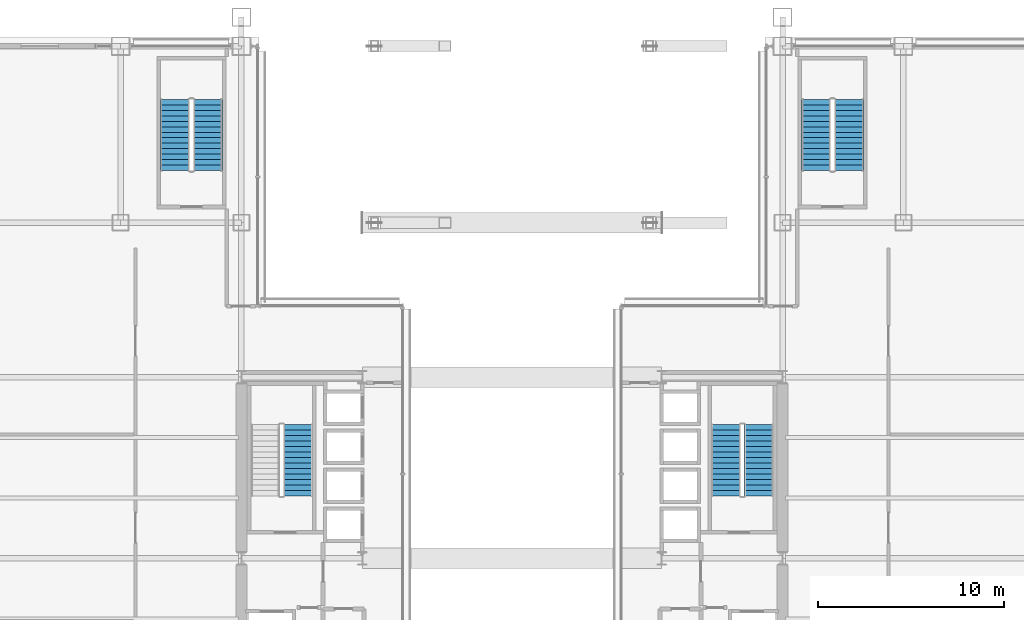
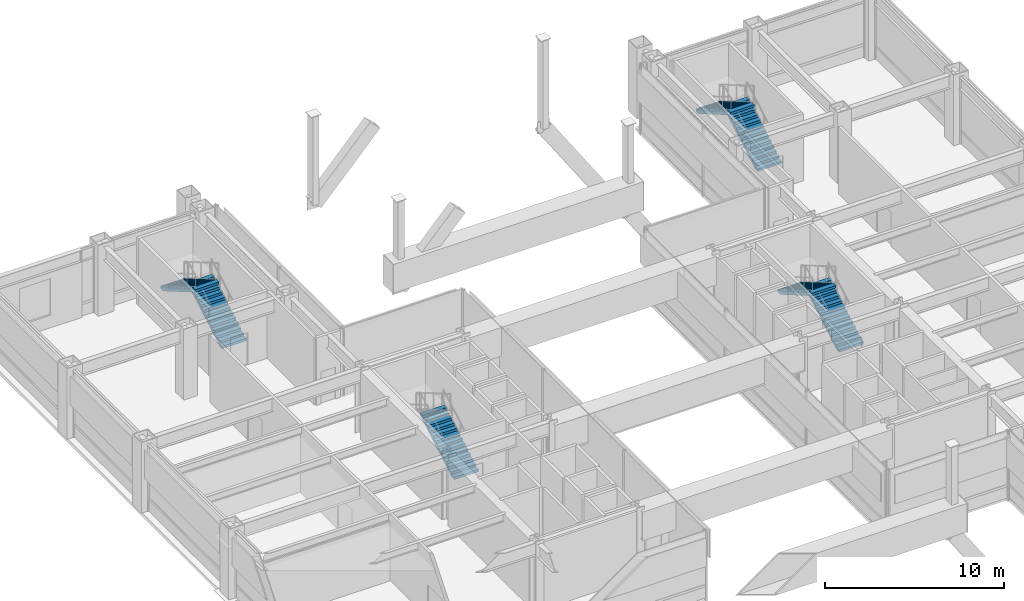
# One storey, part 40 of 42: 7 stair flights, 4 elements without a shape of their own.
"""IFC4 building model written with IfcOpenShell, lengths in metres."""

from ifc_helpers import new_model, si_unit, direction, frame, origin, place, context, subcontext, project, spatial, polyline, outline, extrude, material, type_object, element, aggregate, save


model = new_model("IFC4")

# Units and contexts
model_context = context("Model", 3, precision=1e-05, world=origin(), true_north=direction((0.0, 1.0)))
body_context = subcontext(model_context, "Body", "Model", "MODEL_VIEW")
ifc_project = project(units=[si_unit("LENGTHUNIT", "METRE"), si_unit("AREAUNIT", "SQUARE_METRE"), si_unit("VOLUMEUNIT", "CUBIC_METRE"), si_unit("PLANEANGLEUNIT", "RADIAN"), si_unit("MASSUNIT", "GRAM", prefix="KILO")], contexts=[model_context])

# Site, building, storey
site_placement = place(None, origin())
site = spatial("IfcSite", under=ifc_project, at=site_placement, CompositionType="ELEMENT")
building_placement = place(site_placement, origin())
building = spatial("IfcBuilding", under=site, at=building_placement, Name="Brelmoor Portico Tower", CompositionType="ELEMENT")
storey_placement = place(building_placement, frame((0.0, 0.0, 9.60009765625)))
storey = spatial("IfcBuildingStorey", under=building, at=storey_placement, Name="L02", CompositionType="ELEMENT", Elevation=9.60009765625)

# Stair, stair flight
ifc_material = material(Name="Concrete C40", Category="concrete")
stair_type_1 = type_object("IfcStairType", Name="ST-CORE-W", PredefinedType="HALF_TURN_STAIR", material=ifc_material)
stair_1_placement = place(storey_placement, origin())
stair_1 = element("IfcStair", 1, at=stair_1_placement, inside=storey, type_object=stair_type_1, Name="L02 Protected Core Exit Stair ST-W", PredefinedType="HALF_TURN_STAIR")
stair_flight_type = type_object("IfcStairFlightType", Name="SF-CORE-1850", PredefinedType="STRAIGHT", material=ifc_material)
stair_flight_1_placement = place(storey_placement, frame((-11.510009765625, 3.35009765625, 0.0), z_axis=(0.0, 0.0, 1.0), x_axis=(0.0, 1.0, 0.0)))
stair_flight_1 = element("IfcStairFlight", 2, at=stair_flight_1_placement, type_object=stair_flight_type, Name="ST-W flight 1", NumberOfRisers=14, NumberOfTreads=13, PredefinedType="STRAIGHT", RiserHeight=0.171428571, TreadLength=0.295, context=body_context, shape_type="SweptSolid", body=[
    extrude(outline(polyline([(0.0, 0.0), (0.0, 0.17138671875), (0.294921875, 0.17138671875), (0.294921875, 0.3427734375), (0.590087890625, 0.3427734375), (0.590087890625, 0.514404296875), (0.885009765625, 0.514404296875), (0.885009765625, 0.685791015625), (1.179931640625, 0.685791015625), (1.179931640625, 0.857177734375), (1.47509765625, 0.857177734375), (1.47509765625, 1.028564453125), (1.77001953125, 1.028564453125), (1.77001953125, 1.199951171875), (2.06494140625, 1.199951171875), (2.06494140625, 1.371337890625), (2.360107421875, 1.371337890625), (2.360107421875, 1.54296875), (2.655029296875, 1.54296875), (2.655029296875, 1.71435546875), (2.949951171875, 1.71435546875), (2.949951171875, 1.8857421875), (3.2451171875, 1.8857421875), (3.2451171875, 2.05712890625), (3.5400390625, 2.05712890625), (3.5400390625, 2.228515625), (3.8349609375, 2.228515625), (3.8349609375, 2.39990234375), (3.8349609375, 2.05517578125), (0.29833984375, 0.0), (0.0, 0.0)])), frame((0.0, 0.780029296875, 0.0), z_axis=(0.0, -1.0, 0.0), x_axis=(1.0, 0.0, 0.0)), (0.0, 0.0, 1.0), 1.56005859375),
])
aggregate(stair_1, [stair_flight_1])

# Stair, stair flights
stair_type_2 = type_object("IfcStairType", Name="ST-CORE-E", PredefinedType="HALF_TURN_STAIR", material=ifc_material)
stair_2_placement = place(storey_placement, origin())
stair_2 = element("IfcStair", 3, at=stair_2_placement, inside=storey, type_object=stair_type_2, Name="L02 Protected Core Exit Stair ST-E", PredefinedType="HALF_TURN_STAIR")
stair_flight_2_placement = place(storey_placement, frame((13.27001953125, 3.35009765625, 0.0), z_axis=(0.0, 0.0, 1.0), x_axis=(0.0, 1.0, 0.0)))
stair_flight_2 = element("IfcStairFlight", 4, at=stair_flight_2_placement, type_object=stair_flight_type, Name="ST-E flight 1", NumberOfRisers=14, NumberOfTreads=13, PredefinedType="STRAIGHT", RiserHeight=0.171428571, TreadLength=0.295, context=body_context, shape_type="SweptSolid", body=[
    extrude(outline(polyline([(0.0, 0.0), (0.0, 0.17138671875), (0.294921875, 0.17138671875), (0.294921875, 0.3427734375), (0.590087890625, 0.3427734375), (0.590087890625, 0.514404296875), (0.885009765625, 0.514404296875), (0.885009765625, 0.685791015625), (1.179931640625, 0.685791015625), (1.179931640625, 0.857177734375), (1.47509765625, 0.857177734375), (1.47509765625, 1.028564453125), (1.77001953125, 1.028564453125), (1.77001953125, 1.199951171875), (2.06494140625, 1.199951171875), (2.06494140625, 1.371337890625), (2.360107421875, 1.371337890625), (2.360107421875, 1.54296875), (2.655029296875, 1.54296875), (2.655029296875, 1.71435546875), (2.949951171875, 1.71435546875), (2.949951171875, 1.8857421875), (3.2451171875, 1.8857421875), (3.2451171875, 2.05712890625), (3.5400390625, 2.05712890625), (3.5400390625, 2.228515625), (3.8349609375, 2.228515625), (3.8349609375, 2.39990234375), (3.8349609375, 2.05517578125), (0.29833984375, 0.0), (0.0, 0.0)])), frame((0.0, 0.780029296875, 0.0), z_axis=(0.0, -1.0, 0.0), x_axis=(1.0, 0.0, 0.0)), (0.0, 0.0, 1.0), 1.56005859375),
])
stair_flight_3_placement = place(storey_placement, frame((11.510009765625, 7.18505859375, 2.39990234375), z_axis=(0.0, 0.0, 1.0), x_axis=(0.0, -1.0, 0.0)))
stair_flight_3 = element("IfcStairFlight", 5, at=stair_flight_3_placement, type_object=stair_flight_type, Name="ST-E flight 2", NumberOfRisers=14, NumberOfTreads=13, PredefinedType="STRAIGHT", RiserHeight=0.171428571, TreadLength=0.295, context=body_context, shape_type="SweptSolid", body=[
    extrude(outline(polyline([(0.0, 0.0), (0.0, 0.17138671875), (0.294921875, 0.17138671875), (0.294921875, 0.3427734375), (0.590087890625, 0.3427734375), (0.590087890625, 0.514404296875), (0.885009765625, 0.514404296875), (0.885009765625, 0.685791015625), (1.179931640625, 0.685791015625), (1.179931640625, 0.857177734375), (1.47509765625, 0.857177734375), (1.47509765625, 1.028564453125), (1.77001953125, 1.028564453125), (1.77001953125, 1.199951171875), (2.06494140625, 1.199951171875), (2.06494140625, 1.371337890625), (2.360107421875, 1.371337890625), (2.360107421875, 1.54296875), (2.655029296875, 1.54296875), (2.655029296875, 1.71435546875), (2.949951171875, 1.71435546875), (2.949951171875, 1.8857421875), (3.2451171875, 1.8857421875), (3.2451171875, 2.05712890625), (3.5400390625, 2.05712890625), (3.5400390625, 2.228515625), (3.8349609375, 2.228515625), (3.8349609375, 2.39990234375), (3.8349609375, 2.05517578125), (0.29833984375, 0.0), (0.0, 0.0)])), frame((0.0, 0.780029296875, 0.0), z_axis=(0.0, -1.0, 0.0), x_axis=(1.0, 0.0, 0.0)), (0.0, 0.0, 1.0), 1.56005859375),
])
aggregate(stair_2, [stair_flight_2, stair_flight_3])

stair_type_3 = type_object("IfcStairType", Name="ST-POD-P1", PredefinedType="HALF_TURN_STAIR", material=ifc_material)
stair_3_placement = place(storey_placement, origin())
stair_3 = element("IfcStair", 6, at=stair_3_placement, inside=storey, type_object=stair_type_3, Name="L02 Podium Protected Exit Stair ST-P1", PredefinedType="HALF_TURN_STAIR")
stair_flight_4_placement = place(storey_placement, frame((-16.360107421875, 20.85009765625, 0.0), z_axis=(0.0, 0.0, 1.0), x_axis=(0.0, 1.0, 0.0)))
stair_flight_4 = element("IfcStairFlight", 7, at=stair_flight_4_placement, type_object=stair_flight_type, Name="ST-P1 flight 1", NumberOfRisers=14, NumberOfTreads=13, PredefinedType="STRAIGHT", RiserHeight=0.171428571, TreadLength=0.295, context=body_context, shape_type="SweptSolid", body=[
    extrude(outline(polyline([(0.0, 0.0), (0.0, 0.17138671875), (0.294921875, 0.17138671875), (0.294921875, 0.3427734375), (0.590087890625, 0.3427734375), (0.590087890625, 0.514404296875), (0.885009765625, 0.514404296875), (0.885009765625, 0.685791015625), (1.179931640625, 0.685791015625), (1.179931640625, 0.857177734375), (1.47509765625, 0.857177734375), (1.47509765625, 1.028564453125), (1.77001953125, 1.028564453125), (1.77001953125, 1.199951171875), (2.06494140625, 1.199951171875), (2.06494140625, 1.371337890625), (2.360107421875, 1.371337890625), (2.360107421875, 1.54296875), (2.655029296875, 1.54296875), (2.655029296875, 1.71435546875), (2.949951171875, 1.71435546875), (2.949951171875, 1.8857421875), (3.2451171875, 1.8857421875), (3.2451171875, 2.05712890625), (3.5400390625, 2.05712890625), (3.5400390625, 2.228515625), (3.8349609375, 2.228515625), (3.8349609375, 2.39990234375), (3.8349609375, 2.05517578125), (0.29833984375, 0.0), (0.0, 0.0)])), frame((0.0, 0.780029296875, 0.0), z_axis=(0.0, -1.0, 0.0), x_axis=(1.0, 0.0, 0.0)), (0.0, 0.0, 1.0), 1.56005859375),
])
stair_flight_5_placement = place(storey_placement, frame((-18.1201171875, 24.68505859375, 2.39990234375), z_axis=(0.0, 0.0, 1.0), x_axis=(0.0, -1.0, 0.0)))
stair_flight_5 = element("IfcStairFlight", 8, at=stair_flight_5_placement, type_object=stair_flight_type, Name="ST-P1 flight 2", NumberOfRisers=14, NumberOfTreads=13, PredefinedType="STRAIGHT", RiserHeight=0.171428571, TreadLength=0.295, context=body_context, shape_type="SweptSolid", body=[
    extrude(outline(polyline([(0.0, 0.0), (0.0, 0.17138671875), (0.294921875, 0.17138671875), (0.294921875, 0.3427734375), (0.590087890625, 0.3427734375), (0.590087890625, 0.514404296875), (0.885009765625, 0.514404296875), (0.885009765625, 0.685791015625), (1.179931640625, 0.685791015625), (1.179931640625, 0.857177734375), (1.47509765625, 0.857177734375), (1.47509765625, 1.028564453125), (1.77001953125, 1.028564453125), (1.77001953125, 1.199951171875), (2.06494140625, 1.199951171875), (2.06494140625, 1.371337890625), (2.360107421875, 1.371337890625), (2.360107421875, 1.54296875), (2.655029296875, 1.54296875), (2.655029296875, 1.71435546875), (2.949951171875, 1.71435546875), (2.949951171875, 1.8857421875), (3.2451171875, 1.8857421875), (3.2451171875, 2.05712890625), (3.5400390625, 2.05712890625), (3.5400390625, 2.228515625), (3.8349609375, 2.228515625), (3.8349609375, 2.39990234375), (3.8349609375, 2.05517578125), (0.29833984375, 0.0), (0.0, 0.0)])), frame((0.0, 0.780029296875, 0.0), z_axis=(0.0, -1.0, 0.0), x_axis=(1.0, 0.0, 0.0)), (0.0, 0.0, 1.0), 1.56005859375),
])
aggregate(stair_3, [stair_flight_4, stair_flight_5])

stair_type_4 = type_object("IfcStairType", Name="ST-POD-P2", PredefinedType="HALF_TURN_STAIR", material=ifc_material)
stair_4_placement = place(storey_placement, origin())
stair_4 = element("IfcStair", 9, at=stair_4_placement, inside=storey, type_object=stair_type_4, Name="L02 Podium Protected Exit Stair ST-P2", PredefinedType="HALF_TURN_STAIR")
stair_flight_6_placement = place(storey_placement, frame((18.1201171875, 20.85009765625, 0.0), z_axis=(0.0, 0.0, 1.0), x_axis=(0.0, 1.0, 0.0)))
stair_flight_6 = element("IfcStairFlight", 10, at=stair_flight_6_placement, type_object=stair_flight_type, Name="ST-P2 flight 1", NumberOfRisers=14, NumberOfTreads=13, PredefinedType="STRAIGHT", RiserHeight=0.171428571, TreadLength=0.295, context=body_context, shape_type="SweptSolid", body=[
    extrude(outline(polyline([(0.0, 0.0), (0.0, 0.17138671875), (0.294921875, 0.17138671875), (0.294921875, 0.3427734375), (0.590087890625, 0.3427734375), (0.590087890625, 0.514404296875), (0.885009765625, 0.514404296875), (0.885009765625, 0.685791015625), (1.179931640625, 0.685791015625), (1.179931640625, 0.857177734375), (1.47509765625, 0.857177734375), (1.47509765625, 1.028564453125), (1.77001953125, 1.028564453125), (1.77001953125, 1.199951171875), (2.06494140625, 1.199951171875), (2.06494140625, 1.371337890625), (2.360107421875, 1.371337890625), (2.360107421875, 1.54296875), (2.655029296875, 1.54296875), (2.655029296875, 1.71435546875), (2.949951171875, 1.71435546875), (2.949951171875, 1.8857421875), (3.2451171875, 1.8857421875), (3.2451171875, 2.05712890625), (3.5400390625, 2.05712890625), (3.5400390625, 2.228515625), (3.8349609375, 2.228515625), (3.8349609375, 2.39990234375), (3.8349609375, 2.05517578125), (0.29833984375, 0.0), (0.0, 0.0)])), frame((0.0, 0.780029296875, 0.0), z_axis=(0.0, -1.0, 0.0), x_axis=(1.0, 0.0, 0.0)), (0.0, 0.0, 1.0), 1.56005859375),
])
stair_flight_7_placement = place(storey_placement, frame((16.360107421875, 24.68505859375, 2.39990234375), z_axis=(0.0, 0.0, 1.0), x_axis=(0.0, -1.0, 0.0)))
stair_flight_7 = element("IfcStairFlight", 11, at=stair_flight_7_placement, type_object=stair_flight_type, Name="ST-P2 flight 2", NumberOfRisers=14, NumberOfTreads=13, PredefinedType="STRAIGHT", RiserHeight=0.171428571, TreadLength=0.295, context=body_context, shape_type="SweptSolid", body=[
    extrude(outline(polyline([(0.0, 0.0), (0.0, 0.17138671875), (0.294921875, 0.17138671875), (0.294921875, 0.3427734375), (0.590087890625, 0.3427734375), (0.590087890625, 0.514404296875), (0.885009765625, 0.514404296875), (0.885009765625, 0.685791015625), (1.179931640625, 0.685791015625), (1.179931640625, 0.857177734375), (1.47509765625, 0.857177734375), (1.47509765625, 1.028564453125), (1.77001953125, 1.028564453125), (1.77001953125, 1.199951171875), (2.06494140625, 1.199951171875), (2.06494140625, 1.371337890625), (2.360107421875, 1.371337890625), (2.360107421875, 1.54296875), (2.655029296875, 1.54296875), (2.655029296875, 1.71435546875), (2.949951171875, 1.71435546875), (2.949951171875, 1.8857421875), (3.2451171875, 1.8857421875), (3.2451171875, 2.05712890625), (3.5400390625, 2.05712890625), (3.5400390625, 2.228515625), (3.8349609375, 2.228515625), (3.8349609375, 2.39990234375), (3.8349609375, 2.05517578125), (0.29833984375, 0.0), (0.0, 0.0)])), frame((0.0, 0.780029296875, 0.0), z_axis=(0.0, -1.0, 0.0), x_axis=(1.0, 0.0, 0.0)), (0.0, 0.0, 1.0), 1.56005859375),
])
aggregate(stair_4, [stair_flight_6, stair_flight_7])

save(model, "model.ifc")
